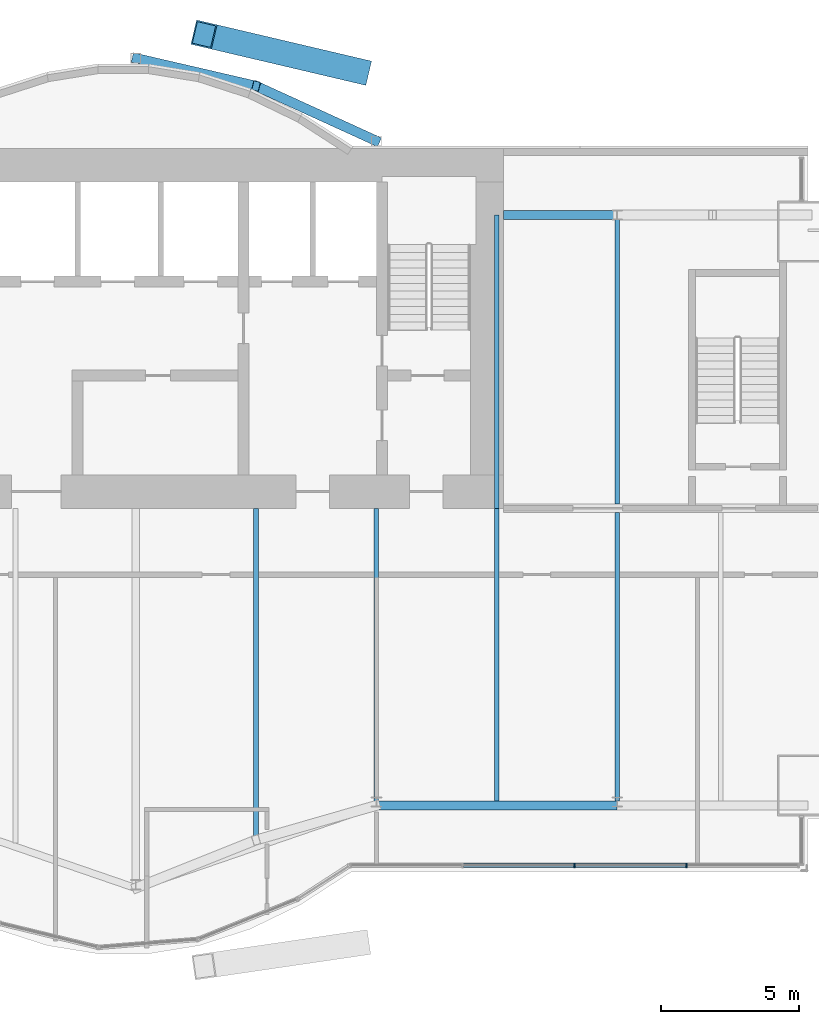
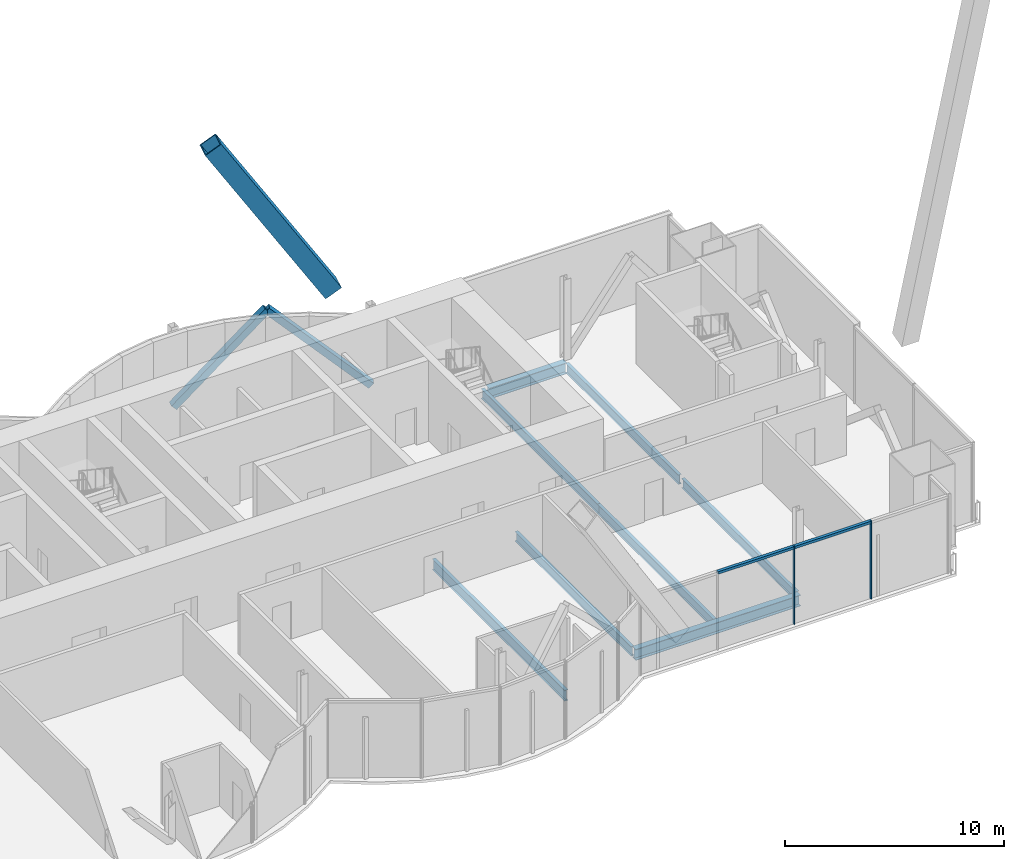
# One storey, part 11 of 22: 8 beams, 7 members, 1 element without a shape of its own.
"""IFC4 building model written with IfcOpenShell, lengths in metres."""

from ifc_helpers import new_model, si_unit, direction, frame, origin, origin_2d, place, context, subcontext, project, spatial, rectangle, hollow_rectangle, i_section, extrude, material, material_profile, profile_set, type_object, element, aggregate, save


model = new_model("IFC4")

# Units and contexts
model_context = context("Model", 3, precision=1e-05, world=origin(), true_north=direction((0.0, 1.0)))
body_context = subcontext(model_context, "Body", "Model", "MODEL_VIEW")
ifc_project = project(units=[si_unit("LENGTHUNIT", "METRE"), si_unit("AREAUNIT", "SQUARE_METRE"), si_unit("VOLUMEUNIT", "CUBIC_METRE"), si_unit("PLANEANGLEUNIT", "RADIAN"), si_unit("MASSUNIT", "GRAM", prefix="KILO")], contexts=[model_context])

# Site, building, storey
site_placement = place(None, origin())
site = spatial("IfcSite", under=ifc_project, at=site_placement, CompositionType="ELEMENT")
building_placement = place(site_placement, origin())
building = spatial("IfcBuilding", under=site, at=building_placement, Name="Bicima Exchange Tower", CompositionType="ELEMENT")
storey_placement = place(building_placement, frame((0.0, 0.0, 315.5)))
storey = spatial("IfcBuildingStorey", under=building, at=storey_placement, Name="L71", CompositionType="ELEMENT", Elevation=315.5)

# Member
ifc_material_1 = material(Name="Steel ASTM A572 Gr 50", Category="steel")
ifc_material_profile_1 = material_profile(ifc_material_1, hollow_rectangle(XDim=0.89990234375, YDim=0.89990234375, WallThickness=0.050048828125, at=origin_2d()))
ifc_profile_set_1 = profile_set([ifc_material_profile_1], Name="Steel ASTM A572 Gr 50")
member_type_1 = type_object("IfcMemberType", Name="Exo mega brace BOX 900x900x50", PredefinedType="BRACE", material=ifc_profile_set_1)
member_1_placement = place(storey_placement, frame((16.75, 2.8125, 4.02490234375), z_axis=(-0.517347803759, 0.121617114566, 0.84708944474), x_axis=(-0.228840031766, -0.973464041381, 0.0)))
element("IfcMember", 1, at=member_1_placement, inside=storey, type_object=member_type_1, Name="Exo mega brace rear", PredefinedType="BRACE", context=body_context, shape_type="SweptSolid", body=[
    extrude(hollow_rectangle(XDim=0.89990234375, YDim=0.89990234375, WallThickness=0.050048828125, at=origin_2d()), origin(), (0.0, 0.0, 1.0), 10.7919921875),
])

# Beams
ifc_material_2 = material(Name="Steel ASTM A992 Gr 50", Category="steel")
ifc_material_profile_2 = material_profile(ifc_material_2, i_section(OverallWidth=0.165771484375, OverallDepth=0.5283203125, WebThickness=0.009765625, FlangeThickness=0.013671875, at=origin_2d()))
ifc_profile_set_2 = profile_set([ifc_material_profile_2], Name="Steel ASTM A992 Gr 50")
beam_type_1 = type_object("IfcBeamType", Name="Floor beam W21x50", PredefinedType="JOIST", material=ifc_profile_set_2)
beam_1_placement = place(storey_placement, frame((17.39990234375, -13.0, -0.414306640625), z_axis=(0.0, -1.0, 0.0), x_axis=(1.0, 0.0, 0.0)))
element("IfcBeam", 2, at=beam_1_placement, inside=storey, type_object=beam_type_1, Name="Floor beam", PredefinedType="JOIST", context=body_context, shape_type="SweptSolid", body=[
    extrude(i_section(OverallWidth=0.165771484375, OverallDepth=0.5283203125, WebThickness=0.009765625, FlangeThickness=0.013671875, at=origin_2d()), origin(), (0.0, 0.0, 1.0), 10.6044921875),
])
beam_2_placement = place(storey_placement, frame((21.75, -2.39990234375, -0.414306640625), z_axis=(0.0, -1.0, 0.0), x_axis=(1.0, 0.0, 0.0)))
element("IfcBeam", 3, at=beam_2_placement, inside=storey, type_object=beam_type_1, Name="Floor beam", PredefinedType="JOIST", context=body_context, shape_type="SweptSolid", body=[
    extrude(i_section(OverallWidth=0.165771484375, OverallDepth=0.5283203125, WebThickness=0.009765625, FlangeThickness=0.013671875, at=origin_2d()), origin(), (0.0, 0.0, 1.0), 10.60009765625),
])
beam_3_placement = place(storey_placement, frame((21.75, -13.0, -0.414306640625), z_axis=(0.0, -1.0, 0.0), x_axis=(1.0, 0.0, 0.0)))
element("IfcBeam", 4, at=beam_3_placement, inside=storey, type_object=beam_type_1, Name="Floor beam", PredefinedType="JOIST", context=body_context, shape_type="SweptSolid", body=[
    extrude(i_section(OverallWidth=0.165771484375, OverallDepth=0.5283203125, WebThickness=0.009765625, FlangeThickness=0.013671875, at=origin_2d()), origin(), (0.0, 0.0, 1.0), 10.577392578125),
])
beam_4_placement = place(storey_placement, frame((26.10009765625, -2.5625, -0.414306640625), z_axis=(0.0, -1.0, 0.0), x_axis=(1.0, 0.0, 0.0)))
element("IfcBeam", 5, at=beam_4_placement, inside=storey, type_object=beam_type_1, Name="Floor beam", PredefinedType="JOIST", context=body_context, shape_type="SweptSolid", body=[
    extrude(i_section(OverallWidth=0.165771484375, OverallDepth=0.5283203125, WebThickness=0.009765625, FlangeThickness=0.013671875, at=origin_2d()), origin(), (0.0, 0.0, 1.0), 10.28515625),
])
beam_5_placement = place(storey_placement, frame((26.10009765625, -13.15234375, -0.414306640625), z_axis=(0.0, -1.0, 0.0), x_axis=(1.0, 0.0, 0.0)))
element("IfcBeam", 6, at=beam_5_placement, inside=storey, type_object=beam_type_1, Name="Floor beam", PredefinedType="JOIST", context=body_context, shape_type="SweptSolid", body=[
    extrude(i_section(OverallWidth=0.165771484375, OverallDepth=0.5283203125, WebThickness=0.009765625, FlangeThickness=0.013671875, at=origin_2d()), origin(), (0.0, 0.0, 1.0), 10.425048828125),
])
ifc_material_profile_3 = material_profile(ifc_material_2, i_section(OverallWidth=0.177978515625, OverallDepth=0.599365234375, WebThickness=0.010009765625, FlangeThickness=0.012939453125, at=origin_2d()))
ifc_profile_set_3 = profile_set([ifc_material_profile_3], Name="Steel ASTM A992 Gr 50")
beam_type_2 = type_object("IfcBeamType", Name="Floor beam W24x55", PredefinedType="JOIST", material=ifc_profile_set_3)
beam_6_placement = place(storey_placement, frame((13.050048828125, -13.0, -0.44970703125), z_axis=(0.0, -1.0, 0.0), x_axis=(1.0, 0.0, 0.0)))
element("IfcBeam", 7, at=beam_6_placement, inside=storey, type_object=beam_type_2, Name="Floor beam", PredefinedType="JOIST", context=body_context, shape_type="SweptSolid", body=[
    extrude(i_section(OverallWidth=0.177978515625, OverallDepth=0.599365234375, WebThickness=0.010009765625, FlangeThickness=0.012939453125, at=origin_2d()), origin(), (0.0, 0.0, 1.0), 12.099853515625),
])
ifc_material_profile_4 = material_profile(ifc_material_2, i_section(OverallWidth=0.3251953125, OverallDepth=0.612060546875, WebThickness=0.0126953125, FlangeThickness=0.01904296875, at=origin_2d()))
ifc_profile_set_4 = profile_set([ifc_material_profile_4], Name="Steel ASTM A992 Gr 50")
beam_type_3 = type_object("IfcBeamType", Name="Front girder W24x104", PredefinedType="BEAM", material=ifc_profile_set_4)
beam_7_placement = place(storey_placement, frame((17.39990234375, -23.739990234375, -0.4560546875), z_axis=(1.0, 0.0, 0.0), x_axis=(0.0, 1.0, 0.0)))
element("IfcBeam", 8, at=beam_7_placement, inside=storey, type_object=beam_type_3, Name="Front girder", PredefinedType="BEAM", context=body_context, shape_type="SweptSolid", body=[
    extrude(i_section(OverallWidth=0.3251953125, OverallDepth=0.612060546875, WebThickness=0.0126953125, FlangeThickness=0.01904296875, at=origin_2d()), origin(), (0.0, 0.0, 1.0), 8.7001953125),
])

# Curtain wall, members
ifc_material_3 = material(Name="Anodised bronze aluminium", Category="aluminium")
curtain_wall_type = type_object("IfcCurtainWallType", Name="Front glass wall", PredefinedType="NOTDEFINED", material=ifc_material_3)
curtain_wall_placement = place(storey_placement, origin())
curtain_wall = element("IfcCurtainWall", 9, at=curtain_wall_placement, inside=storey, type_object=curtain_wall_type, Name="Front glass wall L71 run 16", PredefinedType="NOTDEFINED")
ifc_material_profile_5 = material_profile(ifc_material_3, rectangle(XDim=0.159912109375, YDim=0.06005859375, at=origin_2d()))
ifc_profile_set_5 = profile_set([ifc_material_profile_5], Name="Anodised bronze aluminium")
member_type_2 = type_object("IfcMemberType", Name="Front glass wall mullion 60 x 160", PredefinedType="MULLION", material=ifc_profile_set_5)
member_2_placement = place(storey_placement, frame((24.56103515625, -25.909912109375, 0.0), z_axis=(0.0, 0.0, 1.0), x_axis=(0.0, 1.0, 0.0)))
member_2 = element("IfcMember", 10, at=member_2_placement, type_object=member_type_2, Name="Front glass wall mullion 3", PredefinedType="MULLION", context=body_context, shape_type="SweptSolid", body=[
    extrude(rectangle(XDim=0.159912109375, YDim=0.06005859375, at=origin_2d()), origin(), (0.0, 0.0, 1.0), 4.35009765625),
])
member_3_placement = place(storey_placement, frame((28.610595703125, -25.909912109375, 0.0), z_axis=(0.0, 0.0, 1.0), x_axis=(0.0, 1.0, 0.0)))
member_3 = element("IfcMember", 11, at=member_3_placement, type_object=member_type_2, Name="Front glass wall mullion 4", PredefinedType="MULLION", context=body_context, shape_type="SweptSolid", body=[
    extrude(rectangle(XDim=0.159912109375, YDim=0.06005859375, at=origin_2d()), origin(), (0.0, 0.0, 1.0), 4.35009765625),
])
ifc_material_profile_6 = material_profile(ifc_material_3, rectangle(XDim=0.159912109375, YDim=0.139892578125, at=origin_2d()))
ifc_profile_set_6 = profile_set([ifc_material_profile_6], Name="Anodised bronze aluminium")
member_type_3 = type_object("IfcMemberType", Name="Front glass wall transom 140 x 160", PredefinedType="USERDEFINED", material=ifc_profile_set_6)
member_4_placement = place(storey_placement, frame((20.54150390625, -25.909912109375, 4.280029296875), z_axis=(1.0, 0.0, 0.0), x_axis=(0.0, 1.0, 0.0)))
member_4 = element("IfcMember", 12, at=member_4_placement, type_object=member_type_3, Name="Front glass wall transom 2.1", ObjectType="TRANSOM", PredefinedType="USERDEFINED", context=body_context, shape_type="SweptSolid", body=[
    extrude(rectangle(XDim=0.159912109375, YDim=0.139892578125, at=origin_2d()), origin(), (0.0, 0.0, 1.0), 3.989501953125),
])
member_5_placement = place(storey_placement, frame((24.591064453125, -25.909912109375, 4.280029296875), z_axis=(1.0, 0.0, 0.0), x_axis=(0.0, 1.0, 0.0)))
member_5 = element("IfcMember", 13, at=member_5_placement, type_object=member_type_3, Name="Front glass wall transom 3.1", ObjectType="TRANSOM", PredefinedType="USERDEFINED", context=body_context, shape_type="SweptSolid", body=[
    extrude(rectangle(XDim=0.159912109375, YDim=0.139892578125, at=origin_2d()), origin(), (0.0, 0.0, 1.0), 3.989501953125),
])
aggregate(curtain_wall, [member_2, member_3, member_4, member_5])

# Members
ifc_material_profile_7 = material_profile(ifc_material_1, hollow_rectangle(XDim=0.355712890625, YDim=0.355712890625, WallThickness=0.01171875, at=origin_2d()))
ifc_profile_set_7 = profile_set([ifc_material_profile_7], Name="Steel ASTM A572 Gr 50")
member_type_4 = type_object("IfcMemberType", Name="Mega brace HSS14x14x1/2", PredefinedType="BRACE", material=ifc_profile_set_7)
member_6_placement = place(storey_placement, frame((8.699951171875, 3.26904296875, 0.0), z_axis=(0.686212303743, -0.158786245837, 0.709858860848), x_axis=(0.225438503722, 0.974257399787, 0.0)))
element("IfcMember", 14, at=member_6_placement, inside=storey, type_object=member_type_4, Name="Mega brace rexo", PredefinedType="BRACE", context=body_context, shape_type="SweptSolid", body=[
    extrude(hollow_rectangle(XDim=0.355712890625, YDim=0.355712890625, WallThickness=0.01171875, at=origin_2d()), origin(), (0.0, 0.0, 1.0), 6.33935546875),
])
member_7_placement = place(storey_placement, frame((17.39990234375, 0.278076171875, 0.0), z_axis=(-0.662507516739, 0.302231638101, 0.685375683254), x_axis=(-0.415045223819, -0.909800781592, 0.0)))
element("IfcMember", 15, at=member_7_placement, inside=storey, type_object=member_type_4, Name="Mega brace rexo", PredefinedType="BRACE", context=body_context, shape_type="SweptSolid", body=[
    extrude(hollow_rectangle(XDim=0.355712890625, YDim=0.355712890625, WallThickness=0.01171875, at=origin_2d()), origin(), (0.0, 0.0, 1.0), 6.565673828125),
])

# Beam
beam_type_4 = type_object("IfcBeamType", Name="Rear girder W24x104", PredefinedType="BEAM", material=ifc_profile_set_4)
beam_8_placement = place(storey_placement, frame((22.0, -2.39990234375, -0.4560546875), z_axis=(1.0, 0.0, 0.0), x_axis=(0.0, 1.0, 0.0)))
element("IfcBeam", 16, at=beam_8_placement, inside=storey, type_object=beam_type_4, Name="Rear girder", PredefinedType="BEAM", context=body_context, shape_type="SweptSolid", body=[
    extrude(i_section(OverallWidth=0.3251953125, OverallDepth=0.612060546875, WebThickness=0.0126953125, FlangeThickness=0.01904296875, at=origin_2d()), origin(), (0.0, 0.0, 1.0), 4.10009765625),
])

save(model, "model.ifc")
